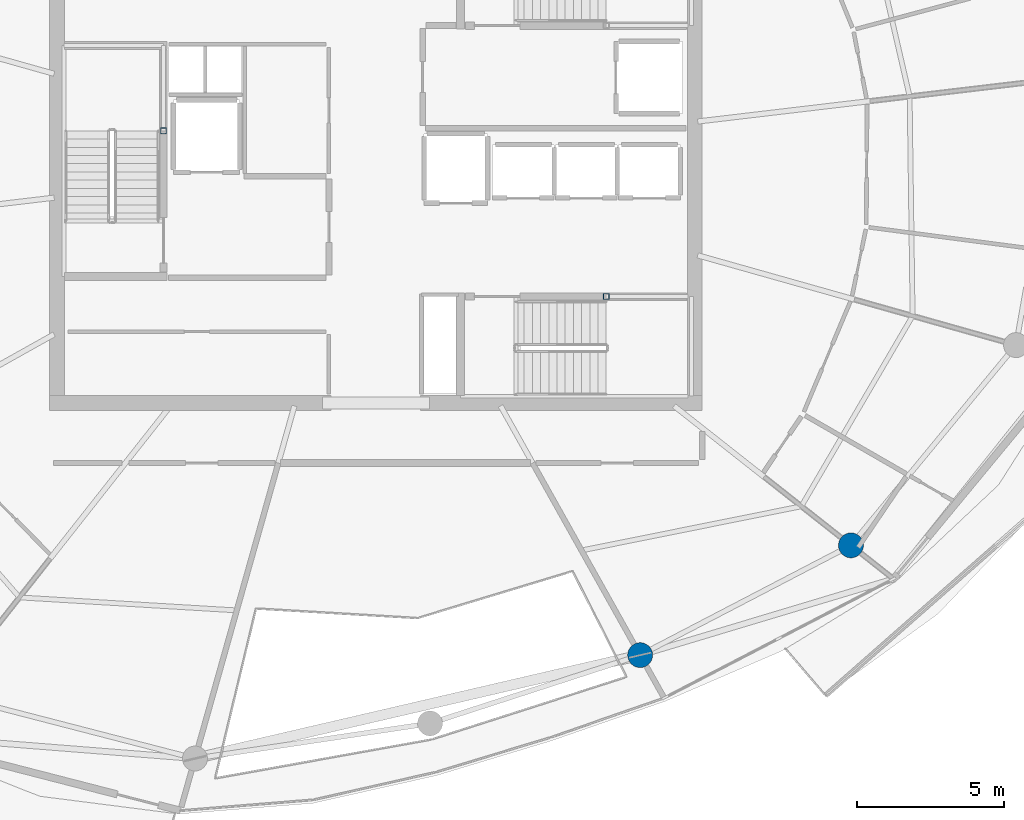
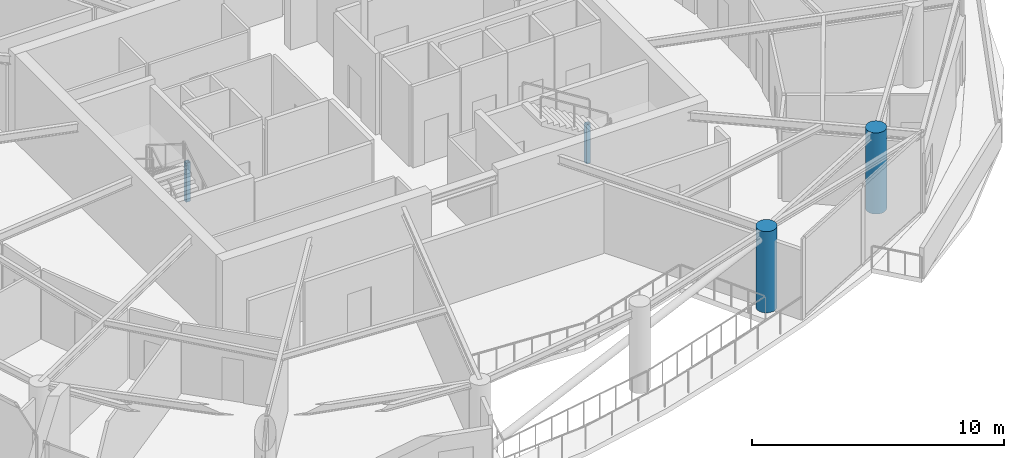
# One storey, part 2 of 22: 4 columns.
"""IFC4 building model written with IfcOpenShell, lengths in metres."""

from ifc_helpers import new_model, si_unit, direction, frame, origin, origin_2d, place, context, subcontext, project, spatial, hollow_rectangle, circle, extrude, material, material_profile, profile_set, type_object, element, save


model = new_model("IFC4")

# Units and contexts
model_context = context("Model", 3, precision=1e-05, world=origin(), true_north=direction((0.0, 1.0)))
body_context = subcontext(model_context, "Body", "Model", "MODEL_VIEW")
ifc_project = project(units=[si_unit("LENGTHUNIT", "METRE"), si_unit("AREAUNIT", "SQUARE_METRE"), si_unit("VOLUMEUNIT", "CUBIC_METRE"), si_unit("PLANEANGLEUNIT", "RADIAN"), si_unit("MASSUNIT", "GRAM", prefix="KILO")], contexts=[model_context])

# Site, building, storey
site_placement = place(None, origin())
site = spatial("IfcSite", under=ifc_project, at=site_placement, CompositionType="ELEMENT")
building_placement = place(site_placement, origin())
building = spatial("IfcBuilding", under=site, at=building_placement, Name="Kazma Halo Residences", CompositionType="ELEMENT")
storey_placement = place(building_placement, frame((0.0, 0.0, 326.300048828125)))
storey = spatial("IfcBuildingStorey", under=building, at=storey_placement, Name="L82", CompositionType="ELEMENT", Elevation=326.300048828125)

# Columns
ifc_material_1 = material(Name="Steel S355", Category="steel")
ifc_material_profile_1 = material_profile(ifc_material_1, hollow_rectangle(XDim=0.199951171875, YDim=0.199951171875, WallThickness=0.010009765625, InnerFilletRadius=0.010009765625, OuterFilletRadius=0.02001953125, at=origin_2d()), Name="SHS200x200x10")
ifc_profile_set_1 = profile_set([ifc_material_profile_1], Name="Steel S355")
column_type_1 = type_object("IfcColumnType", Name="COL-LP-SHS200", PredefinedType="COLUMN", material=ifc_profile_set_1)
for number, where, z_axis, x_axis, name in (
    (1, (41.179931640625, 43.030029296875, 0.0), (0.0, 0.0, 1.0), (1.0, 0.0, 0.0), "L82 ST-01 landing pilaster 1"),
    (2, (56.280029296875, 37.3798828125, 0.0), (0.0, 0.0, 1.0), (1.0, 0.0, 0.0), "L82 ST-03 landing pilaster 1"),
):
    element("IfcColumn", number, at=place(storey_placement, frame(where, z_axis=z_axis, x_axis=x_axis)), inside=storey, type_object=column_type_1, Name=name, PredefinedType="COLUMN", context=body_context, shape_type="SweptSolid", body=[
        extrude(hollow_rectangle(XDim=0.199951171875, YDim=0.199951171875, WallThickness=0.010009765625, InnerFilletRadius=0.010009765625, OuterFilletRadius=0.02001953125, at=origin_2d()), origin(), (0.0, 0.0, 1.0), 1.89501953125),
    ])
ifc_material_2 = material(Name="Concrete C60/75", Category="concrete")
ifc_material_profile_2 = material_profile(ifc_material_2, circle(Radius=0.425048828125, at=origin_2d()), Name="CIRC850")
ifc_profile_set_2 = profile_set([ifc_material_profile_2], Name="Concrete C60/75")
column_type_2 = type_object("IfcColumnType", Name="COL-PERIM-850", PredefinedType="COLUMN", material=ifc_profile_set_2)
for number, where, z_axis, x_axis, name in (
    (3, (57.436767578125, 25.1494140625, 0.0), (0.0, 0.0, 1.0), (1.0, 0.0, 0.0), "L82 perimeter ring column P13"),
    (4, (64.626220703125, 28.89306640625, 0.0), (0.0, 0.0, 1.0), (1.0, 0.0, 0.0), "L82 perimeter ring column P14"),
):
    element("IfcColumn", number, at=place(storey_placement, frame(where, z_axis=z_axis, x_axis=x_axis)), inside=storey, type_object=column_type_2, Name=name, PredefinedType="COLUMN", context=body_context, shape_type="SweptSolid", body=[
        extrude(circle(Radius=0.425048828125, at=origin_2d()), origin(), (0.0, 0.0, 1.0), 3.93994140625),
    ])

save(model, "model.ifc")
